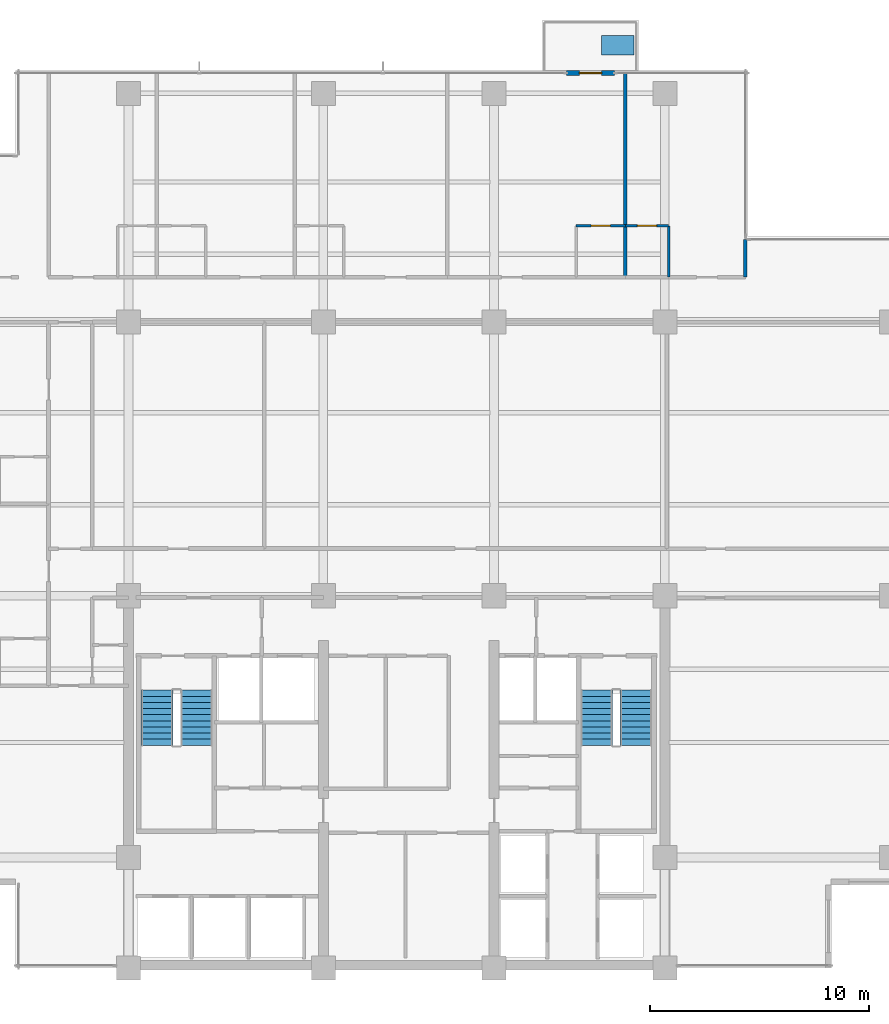
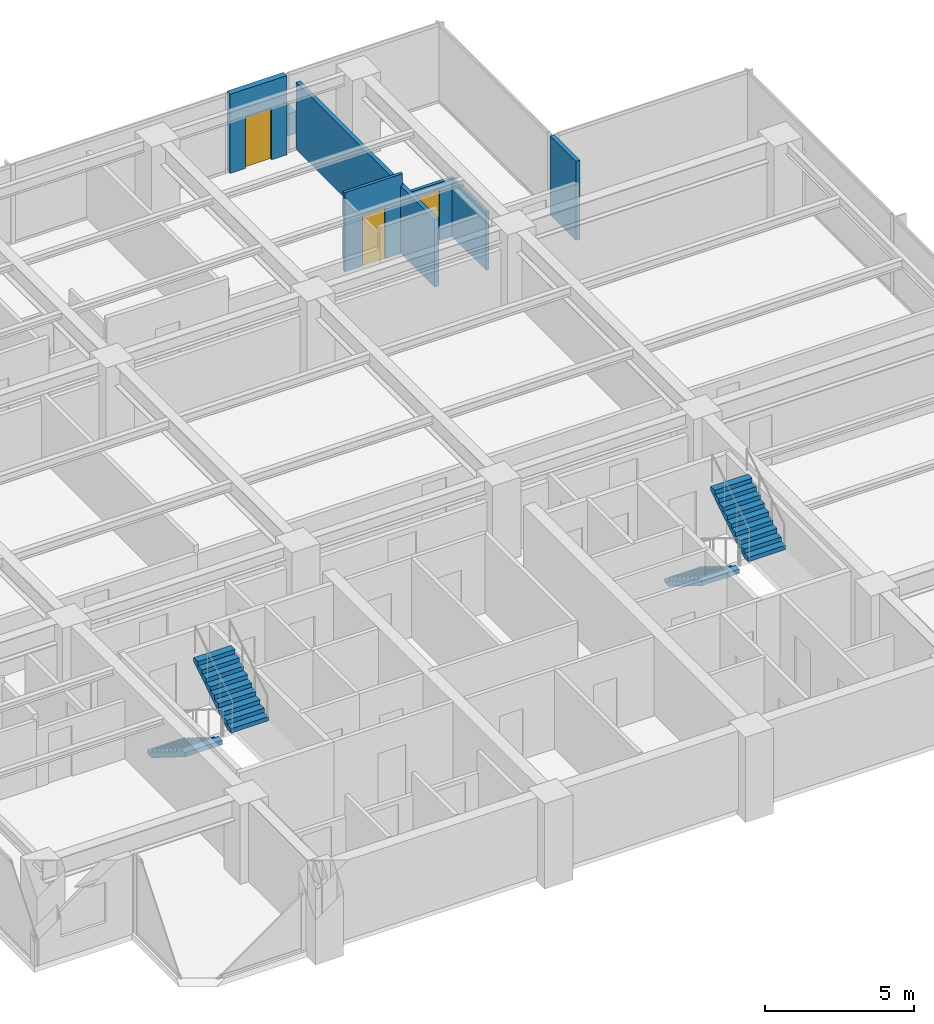
# One storey, part 10 of 15: 6 walls, 4 stair flights, 3 doors, 1 discrete accessory, 3 openings, 2 elements without a shape of their own.
"""IFC4 building model written with IfcOpenShell, lengths in metres."""

from ifc_helpers import new_model, si_unit, direction, frame, frame_2d, origin, place, context, subcontext, project, spatial, polyline, rectangle, outline, extrude, material, layer, layer_set, type_object, element, fill, aggregate, save


model = new_model("IFC4")

# Units and contexts
model_context = context("Model", 3, precision=1e-05, world=origin(), true_north=direction((0.0, 1.0)))
body_context = subcontext(model_context, "Body", "Model", "MODEL_VIEW")
ifc_project = project(units=[si_unit("LENGTHUNIT", "METRE"), si_unit("AREAUNIT", "SQUARE_METRE"), si_unit("VOLUMEUNIT", "CUBIC_METRE"), si_unit("PLANEANGLEUNIT", "RADIAN"), si_unit("MASSUNIT", "GRAM", prefix="KILO")], contexts=[model_context])

# Site, building, storey
site_placement = place(None, origin())
site = spatial("IfcSite", under=ifc_project, at=site_placement, CompositionType="ELEMENT")
building_placement = place(site_placement, origin())
building = spatial("IfcBuilding", under=site, at=building_placement, Name="Qalmaran Belvedere Hotel", CompositionType="ELEMENT")
storey_placement = place(building_placement, frame((0.0, 0.0, 173.60009765625)))
storey = spatial("IfcBuildingStorey", under=building, at=storey_placement, Name="L44", CompositionType="ELEMENT", Elevation=173.60009765625)

# Wall, opening, door
ifc_material_1 = material(Name="Anodised Bronze Cladding")
ifc_layer_1 = layer(ifc_material_1, 0.22509765625, Name="Anodised Bronze Cladding")
ifc_layer_set_1 = layer_set([ifc_layer_1], Name="Anodised Bronze Cladding")
wall_type_1 = type_object("IfcWallType", Name="WL-BAL-PORT-225", PredefinedType="SOLIDWALL", material=ifc_layer_set_1)
wall_1_placement = place(storey_placement, frame((40.300048828125, 44.3798828125, 0.0), z_axis=(0.0, 0.0, 1.0), x_axis=(1.0, 0.0, 0.0)))
wall_1 = element("IfcWall", 1, at=wall_1_placement, inside=storey, type_object=wall_type_1, Name="L44 Tree Balcony Door Portal", PredefinedType="SOLIDWALL", context=body_context, shape_type="SweptSolid", body=[
    extrude(rectangle(XDim=2.199951171875, YDim=0.22509765625, at=frame_2d((1.10009765625, 0.0))), origin(), (0.0, 0.0, 1.0), 3.25),
])
opening_1_placement = place(wall_1_placement, frame((0.590087890625, 0.0, 0.0)))
opening_1 = element("IfcOpeningElement", 2, at=opening_1_placement, cuts=wall_1, Name="Opening BL-102", PredefinedType="OPENING", context=body_context, shape_type="SweptSolid", body=[
    extrude(rectangle(XDim=1.02001953125, YDim=2.10009765625, at=frame_2d((0.510009765625, 1.050048828125))), frame((0.0, 0.12255859375, 0.0), z_axis=(0.0, -1.0, 0.0), x_axis=(1.0, 0.0, 0.0)), (0.0, 0.0, 1.0), 0.2451171875),
])
ifc_material_2 = material(Name="Anodised Bronze Aluminium", Category="aluminium")
door_type_1 = type_object("IfcDoorType", Name="DR-BAL-1020X2100", OperationType="NOTDEFINED", PredefinedType="DOOR", material=ifc_material_2)
door_1_placement = place(opening_1_placement, origin())
door_1 = element("IfcDoor", 3, at=door_1_placement, inside=storey, type_object=door_type_1, Name="L44 Planted Tree Balcony Door", OperationType="SINGLE_SWING_LEFT", OverallHeight=2.10009765625, OverallWidth=1.02001953125, PredefinedType="DOOR", context=body_context, shape_type="SweptSolid", body=[
    extrude(rectangle(XDim=1.02001953125, YDim=2.10009765625, at=frame_2d((0.510009765625, 1.050048828125))), frame((0.0, 0.02490234375, 0.0), z_axis=(0.0, -1.0, 0.0), x_axis=(1.0, 0.0, 0.0)), (0.0, 0.0, 1.0), 0.050048828125),
])
fill(opening_1, door_1)

ifc_material_3 = material(Name="Moisture-Resistant Gypsum")
ifc_layer_2 = layer(ifc_material_3, 0.1201171875, Name="Moisture-Resistant Gypsum")
ifc_layer_set_2 = layer_set([ifc_layer_2], Name="Moisture-Resistant Gypsum")
wall_type_2 = type_object("IfcWallType", Name="WL-INT-120-BATH", PredefinedType="PARTITIONING", material=ifc_layer_set_2)
wall_2_placement = place(storey_placement, frame((40.75, 37.39990234375, 0.0), z_axis=(0.0, 0.0, 1.0), x_axis=(1.0, 0.0, 0.0)))
wall_2 = element("IfcWall", 4, at=wall_2_placement, inside=storey, type_object=wall_type_2, Name="L44 Partition WL-L44-NBN03", PredefinedType="PARTITIONING", context=body_context, shape_type="SweptSolid", body=[
    extrude(rectangle(XDim=2.25, YDim=0.1201171875, at=frame_2d((1.125, 0.0))), origin(), (0.0, 0.0, 1.0), 3.25),
])
opening_2_placement = place(wall_2_placement, frame((1.56494140625, 0.0, 0.0), z_axis=(0.0, 0.0, 1.0), x_axis=(-1.0, 0.0, 0.0)))
opening_2 = element("IfcOpeningElement", 5, at=opening_2_placement, cuts=wall_2, Name="Opening D-BATH", PredefinedType="OPENING", context=body_context, shape_type="SweptSolid", body=[
    extrude(rectangle(XDim=0.8798828125, YDim=2.080078125, at=frame_2d((0.43994140625, 1.0400390625))), frame((0.0, 0.070068359375, 0.0), z_axis=(0.0, -1.0, 0.0), x_axis=(1.0, 0.0, 0.0)), (0.0, 0.0, 1.0), 0.14013671875),
])
ifc_material_4 = material(Name="Engineered Oak Veneer")
door_type_2 = type_object("IfcDoorType", Name="DR-INT-BATH-880X2080", OperationType="NOTDEFINED", PredefinedType="DOOR", material=ifc_material_4)
door_2_placement = place(opening_2_placement, origin())
door_2 = element("IfcDoor", 6, at=door_2_placement, inside=storey, type_object=door_type_2, Name="L44 Ensuite Bathroom Door N04", OperationType="SINGLE_SWING_RIGHT", OverallHeight=2.080078125, OverallWidth=0.8798828125, PredefinedType="DOOR", context=body_context, shape_type="SweptSolid", body=[
    extrude(rectangle(XDim=0.8798828125, YDim=2.080078125, at=frame_2d((0.43994140625, 1.0400390625))), frame((0.0, 0.02490234375, 0.0), z_axis=(0.0, -1.0, 0.0), x_axis=(1.0, 0.0, 0.0)), (0.0, 0.0, 1.0), 0.050048828125),
])
fill(opening_2, door_2)

wall_3_placement = place(storey_placement, frame((43.0, 37.39990234375, 0.0), z_axis=(0.0, 0.0, 1.0), x_axis=(1.0, 0.0, 0.0)))
wall_3 = element("IfcWall", 7, at=wall_3_placement, inside=storey, type_object=wall_type_2, Name="L44 Partition WL-L44-NBN04", PredefinedType="PARTITIONING", context=body_context, shape_type="SweptSolid", body=[
    extrude(rectangle(XDim=1.969970703125, YDim=0.1201171875, at=frame_2d((0.98486328125, 0.0))), origin(), (0.0, 0.0, 1.0), 2.3798828125),
])
opening_3_placement = place(wall_3_placement, frame((1.4248046875, 0.0, 0.0), z_axis=(0.0, 0.0, 1.0), x_axis=(-1.0, 0.0, 0.0)))
opening_3 = element("IfcOpeningElement", 8, at=opening_3_placement, cuts=wall_3, Name="Opening D-BATH", PredefinedType="OPENING", context=body_context, shape_type="SweptSolid", body=[
    extrude(rectangle(XDim=0.8798828125, YDim=2.080078125, at=frame_2d((0.43994140625, 1.0400390625))), frame((0.0, 0.070068359375, 0.0), z_axis=(0.0, -1.0, 0.0), x_axis=(1.0, 0.0, 0.0)), (0.0, 0.0, 1.0), 0.14013671875),
])
door_3_placement = place(opening_3_placement, origin())
door_3 = element("IfcDoor", 9, at=door_3_placement, inside=storey, type_object=door_type_2, Name="L44 Ensuite Bathroom Door N05", OperationType="SINGLE_SWING_RIGHT", OverallHeight=2.080078125, OverallWidth=0.8798828125, PredefinedType="DOOR", context=body_context, shape_type="SweptSolid", body=[
    extrude(rectangle(XDim=0.8798828125, YDim=2.080078125, at=frame_2d((0.43994140625, 1.0400390625))), frame((0.0, 0.02490234375, 0.0), z_axis=(0.0, -1.0, 0.0), x_axis=(1.0, 0.0, 0.0)), (0.0, 0.0, 1.0), 0.050048828125),
])
fill(opening_3, door_3)

# Walls
wall_4_placement = place(storey_placement, frame((44.969970703125, 35.050048828125, 0.0), z_axis=(0.0, 0.0, 1.0), x_axis=(0.0, 1.0, 0.0)))
element("IfcWall", 10, at=wall_4_placement, inside=storey, type_object=wall_type_2, Name="L44 Partition WL-L44-NBS04", PredefinedType="PARTITIONING", context=body_context, shape_type="SweptSolid", body=[
    extrude(rectangle(XDim=2.349853515625, YDim=0.1201171875, at=frame_2d((1.1748046875, 0.0))), origin(), (0.0, 0.0, 1.0), 2.3798828125),
])
ifc_material_5 = material(Name="Gypsum Stud Partition")
ifc_layer_3 = layer(ifc_material_5, 0.159912109375, Name="Gypsum Stud Partition")
ifc_layer_set_3 = layer_set([ifc_layer_3], Name="Gypsum Stud Partition")
wall_type_3 = type_object("IfcWallType", Name="WL-INT-160-EI60", PredefinedType="PARTITIONING", material=ifc_layer_set_3)
wall_5_placement = place(storey_placement, frame((43.0, 35.050048828125, 0.0), z_axis=(0.0, 0.0, 1.0), x_axis=(0.0, 1.0, 0.0)))
element("IfcWall", 11, at=wall_5_placement, inside=storey, type_object=wall_type_3, Name="L44 Partition WL-L44-NUR03", PredefinedType="PARTITIONING", context=body_context, shape_type="SweptSolid", body=[
    extrude(rectangle(XDim=9.329833984375, YDim=0.159912109375, at=frame_2d((4.6650390625, 0.0))), origin(), (0.0, 0.0, 1.0), 2.77197265625),
])
wall_6_placement = place(storey_placement, frame((48.47998046875, 35.050048828125, 0.0), z_axis=(0.0, 0.0, 1.0), x_axis=(0.0, 1.0, 0.0)))
element("IfcWall", 12, at=wall_6_placement, inside=storey, type_object=wall_type_3, Name="L44 Partition WL-L44-NUR04", PredefinedType="PARTITIONING", context=body_context, shape_type="SweptSolid", body=[
    extrude(rectangle(XDim=1.72998046875, YDim=0.159912109375, at=frame_2d((0.864990234375, 0.0))), origin(), (0.0, 0.0, 1.0), 3.25),
])

# Stair, stair flights
ifc_material_6 = material(Name="Concrete C40/50", Category="concrete")
stair_type_1 = type_object("IfcStairType", Name="STR-ST-1-1450-R1750", PredefinedType="HALF_TURN_STAIR", material=ifc_material_6)
stair_1_placement = place(storey_placement, origin())
stair_1 = element("IfcStair", 13, at=stair_1_placement, inside=storey, type_object=stair_type_1, Name="L44 West Core Exit Stair ST-1", PredefinedType="HALF_TURN_STAIR")
ifc_layer_4 = layer(ifc_material_6, 0.14990234375, Name="Concrete C40/50")
ifc_layer_set_4 = layer_set([ifc_layer_4], Name="Concrete C40/50")
stair_flight_type_1 = type_object("IfcStairFlightType", Name="STF-ST-1-1450-R1750", PredefinedType="STRAIGHT", material=ifc_layer_set_4)
stair_flight_1_placement = place(storey_placement, frame((21.60498046875, 16.18994140625, 0.0), z_axis=(0.0, 0.0, 1.0), x_axis=(0.0, -1.0, 0.0)))
stair_flight_1 = element("IfcStairFlight", 14, at=stair_flight_1_placement, type_object=stair_flight_type_1, Name="ST-1 flight 1", NumberOfRisers=10, NumberOfTreads=9, PredefinedType="STRAIGHT", RiserHeight=0.175, TreadLength=0.28, context=body_context, shape_type="SweptSolid", body=[
    extrude(outline(polyline([(0.0, 0.0), (0.0, 0.175048828125), (0.280029296875, 0.175048828125), (0.280029296875, 0.35009765625), (0.56005859375, 0.35009765625), (0.56005859375, 0.52490234375), (0.840087890625, 0.52490234375), (0.840087890625, 0.699951171875), (1.1201171875, 0.699951171875), (1.1201171875, 0.875), (1.39990234375, 0.875), (1.39990234375, 1.050048828125), (1.679931640625, 1.050048828125), (1.679931640625, 1.22509765625), (1.9599609375, 1.22509765625), (1.9599609375, 1.39990234375), (2.239990234375, 1.39990234375), (2.239990234375, 1.574951171875), (2.52001953125, 1.574951171875), (2.52001953125, 1.75), (2.52001953125, 1.398193359375), (0.28271484375, 0.0), (0.0, 0.0)])), frame((0.0, 0.72509765625, 0.0), z_axis=(0.0, -1.0, 0.0), x_axis=(1.0, 0.0, 0.0)), (0.0, 0.0, 1.0), 1.449951171875),
])
stair_flight_2_placement = place(storey_placement, frame((23.39501953125, 13.669921875, 1.75), z_axis=(0.0, 0.0, 1.0), x_axis=(0.0, 1.0, 0.0)))
stair_flight_2 = element("IfcStairFlight", 15, at=stair_flight_2_placement, type_object=stair_flight_type_1, Name="ST-1 flight 2", NumberOfRisers=10, NumberOfTreads=9, PredefinedType="STRAIGHT", RiserHeight=0.175, TreadLength=0.28, context=body_context, shape_type="SweptSolid", body=[
    extrude(outline(polyline([(0.0, 0.0), (0.0, 0.175048828125), (0.280029296875, 0.175048828125), (0.280029296875, 0.35009765625), (0.56005859375, 0.35009765625), (0.56005859375, 0.52490234375), (0.840087890625, 0.52490234375), (0.840087890625, 0.699951171875), (1.1201171875, 0.699951171875), (1.1201171875, 0.875), (1.39990234375, 0.875), (1.39990234375, 1.050048828125), (1.679931640625, 1.050048828125), (1.679931640625, 1.22509765625), (1.9599609375, 1.22509765625), (1.9599609375, 1.39990234375), (2.239990234375, 1.39990234375), (2.239990234375, 1.574951171875), (2.52001953125, 1.574951171875), (2.52001953125, 1.75), (2.52001953125, 1.398193359375), (0.28271484375, 0.0), (0.0, 0.0)])), frame((0.0, 0.72509765625, 0.0), z_axis=(0.0, -1.0, 0.0), x_axis=(1.0, 0.0, 0.0)), (0.0, 0.0, 1.0), 1.449951171875),
])
aggregate(stair_1, [stair_flight_1, stair_flight_2])

stair_type_2 = type_object("IfcStairType", Name="STR-ST-2-1450-R1750", PredefinedType="HALF_TURN_STAIR", material=ifc_material_6)
stair_2_placement = place(storey_placement, origin())
stair_2 = element("IfcStair", 16, at=stair_2_placement, inside=storey, type_object=stair_type_2, Name="L44 East Core Exit Stair ST-2", PredefinedType="HALF_TURN_STAIR")
ifc_layer_5 = layer(ifc_material_6, 0.14990234375, Name="Concrete C40/50")
ifc_layer_set_5 = layer_set([ifc_layer_5], Name="Concrete C40/50")
stair_flight_type_2 = type_object("IfcStairFlightType", Name="STF-ST-2-1450-R1750", PredefinedType="STRAIGHT", material=ifc_layer_set_5)
stair_flight_3_placement = place(storey_placement, frame((41.68505859375, 16.18994140625, 0.0), z_axis=(0.0, 0.0, 1.0), x_axis=(0.0, -1.0, 0.0)))
stair_flight_3 = element("IfcStairFlight", 17, at=stair_flight_3_placement, type_object=stair_flight_type_2, Name="ST-2 flight 1", NumberOfRisers=10, NumberOfTreads=9, PredefinedType="STRAIGHT", RiserHeight=0.175, TreadLength=0.28, context=body_context, shape_type="SweptSolid", body=[
    extrude(outline(polyline([(0.0, 0.0), (0.0, 0.175048828125), (0.280029296875, 0.175048828125), (0.280029296875, 0.35009765625), (0.56005859375, 0.35009765625), (0.56005859375, 0.52490234375), (0.840087890625, 0.52490234375), (0.840087890625, 0.699951171875), (1.1201171875, 0.699951171875), (1.1201171875, 0.875), (1.39990234375, 0.875), (1.39990234375, 1.050048828125), (1.679931640625, 1.050048828125), (1.679931640625, 1.22509765625), (1.9599609375, 1.22509765625), (1.9599609375, 1.39990234375), (2.239990234375, 1.39990234375), (2.239990234375, 1.574951171875), (2.52001953125, 1.574951171875), (2.52001953125, 1.75), (2.52001953125, 1.398193359375), (0.28271484375, 0.0), (0.0, 0.0)])), frame((0.0, 0.72509765625, 0.0), z_axis=(0.0, -1.0, 0.0), x_axis=(1.0, 0.0, 0.0)), (0.0, 0.0, 1.0), 1.449951171875),
])
stair_flight_4_placement = place(storey_placement, frame((43.47509765625, 13.669921875, 1.75), z_axis=(0.0, 0.0, 1.0), x_axis=(0.0, 1.0, 0.0)))
stair_flight_4 = element("IfcStairFlight", 18, at=stair_flight_4_placement, type_object=stair_flight_type_2, Name="ST-2 flight 2", NumberOfRisers=10, NumberOfTreads=9, PredefinedType="STRAIGHT", RiserHeight=0.175, TreadLength=0.28, context=body_context, shape_type="SweptSolid", body=[
    extrude(outline(polyline([(0.0, 0.0), (0.0, 0.175048828125), (0.280029296875, 0.175048828125), (0.280029296875, 0.35009765625), (0.56005859375, 0.35009765625), (0.56005859375, 0.52490234375), (0.840087890625, 0.52490234375), (0.840087890625, 0.699951171875), (1.1201171875, 0.699951171875), (1.1201171875, 0.875), (1.39990234375, 0.875), (1.39990234375, 1.050048828125), (1.679931640625, 1.050048828125), (1.679931640625, 1.22509765625), (1.9599609375, 1.22509765625), (1.9599609375, 1.39990234375), (2.239990234375, 1.39990234375), (2.239990234375, 1.574951171875), (2.52001953125, 1.574951171875), (2.52001953125, 1.75), (2.52001953125, 1.398193359375), (0.28271484375, 0.0), (0.0, 0.0)])), frame((0.0, 0.72509765625, 0.0), z_axis=(0.0, -1.0, 0.0), x_axis=(1.0, 0.0, 0.0)), (0.0, 0.0, 1.0), 1.449951171875),
])
aggregate(stair_2, [stair_flight_3, stair_flight_4])

# Discrete accessory
discrete_accessory_type = type_object("IfcDiscreteAccessoryType", Name="PLN-BAL-1500", PredefinedType="USERDEFINED", material=ifc_material_6)
discrete_accessory_placement = place(storey_placement, origin())
element("IfcDiscreteAccessory", 19, at=discrete_accessory_placement, inside=storey, type_object=discrete_accessory_type, Name="L44 Sky Tree Planter", ObjectType="PLANTER", PredefinedType="USERDEFINED", context=body_context, shape_type="SweptSolid", body=[
    extrude(outline(polyline([(41.89990234375, 45.199951171875), (43.39990234375, 45.199951171875), (43.39990234375, 46.10009765625), (41.89990234375, 46.10009765625), (41.89990234375, 45.199951171875)])), origin(), (0.0, 0.0, 1.0), 0.89990234375),
])

save(model, "model.ifc")
